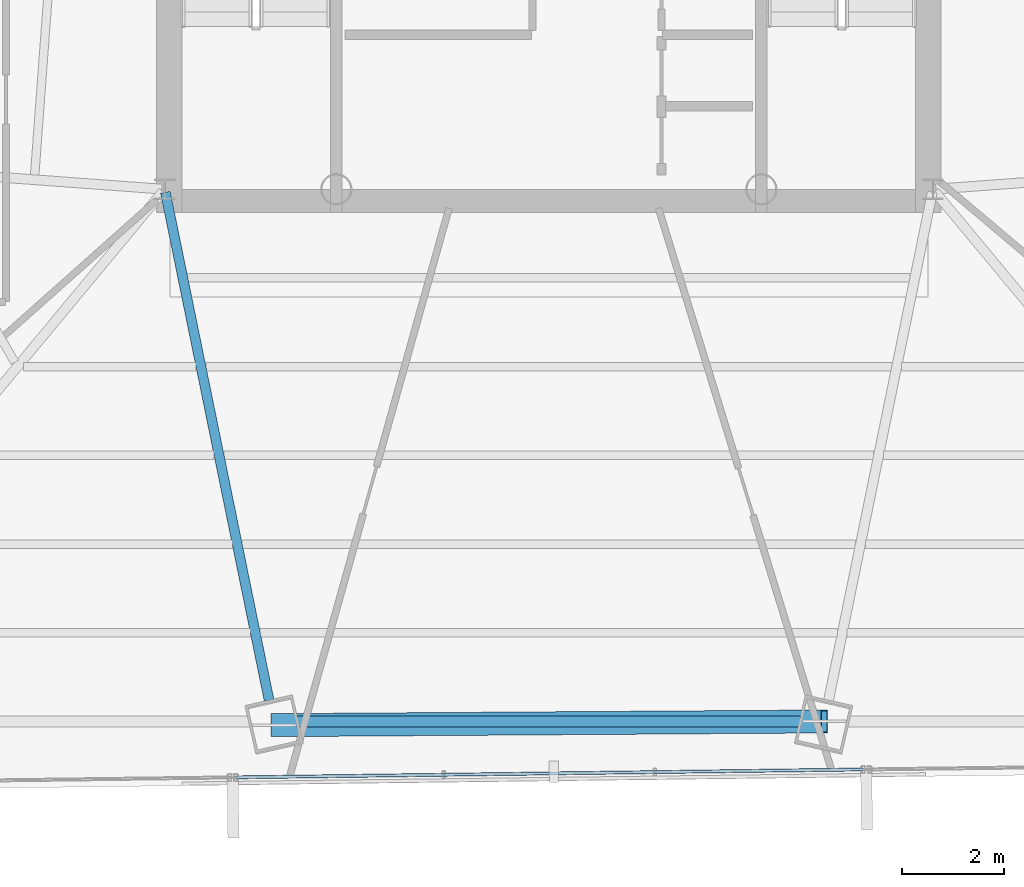
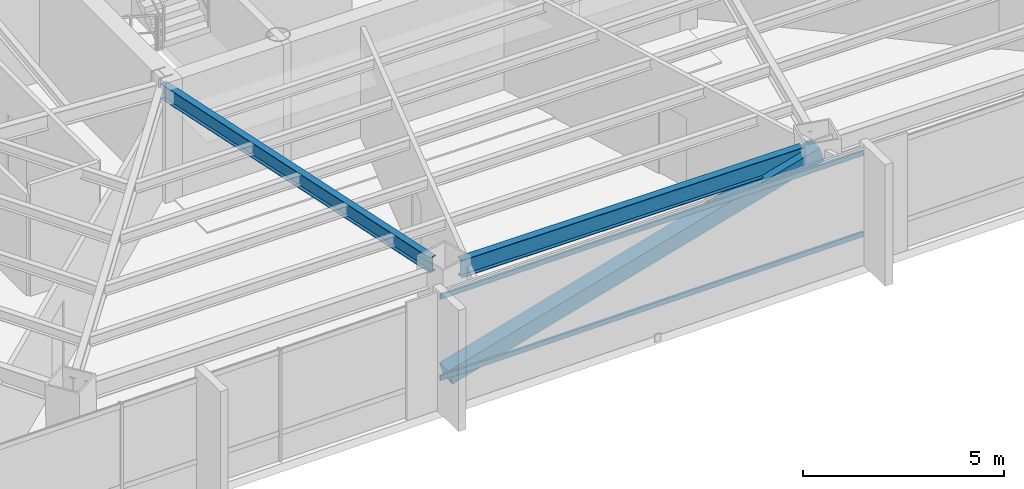
# One storey, part 9 of 41: 3 members, 2 beams, 1 element without a shape of its own.
"""IFC4 building model written with IfcOpenShell, lengths in metres."""

from ifc_helpers import new_model, si_unit, direction, frame, origin, origin_2d, place, context, subcontext, project, spatial, hollow_rectangle, i_section, extrude, source, transform, mapped, material, material_profile, profile_set, type_object, type_shapes, element, aggregate, save


model = new_model("IFC4")

# Units and contexts
model_context = context("Model", 3, precision=1e-05, world=origin(), true_north=direction((0.0, 1.0)))
body_context = subcontext(model_context, "Body", "Model", "MODEL_VIEW")
ifc_project = project(units=[si_unit("LENGTHUNIT", "METRE"), si_unit("AREAUNIT", "SQUARE_METRE"), si_unit("VOLUMEUNIT", "CUBIC_METRE"), si_unit("PLANEANGLEUNIT", "RADIAN"), si_unit("MASSUNIT", "GRAM", prefix="KILO")], contexts=[model_context])

# Site, building, storey
site_placement = place(None, origin())
site = spatial("IfcSite", under=ifc_project, at=site_placement, CompositionType="ELEMENT")
building_placement = place(site_placement, origin())
building = spatial("IfcBuilding", under=site, at=building_placement, Name="Caelisora Broadcast Tower", CompositionType="ELEMENT")
storey_placement = place(building_placement, frame((0.0, 0.0, 135.449951171875)))
storey = spatial("IfcBuildingStorey", under=building, at=storey_placement, Name="L35", CompositionType="ELEMENT", Elevation=135.449951171875)

# Beams
ifc_material_1 = material(Name="Steel Grade 350 (AS/NZS 3679.1)", Category="steel")
ifc_material_profile_1 = material_profile(ifc_material_1, i_section(OverallWidth=0.208984375, OverallDepth=0.532958984375, WebThickness=0.01025390625, FlangeThickness=0.015625, at=origin_2d()), Name="Steel Grade 350 (AS/NZS 3679.1)")
ifc_profile_set_1 = profile_set([ifc_material_profile_1], Name="Steel Grade 350 (AS/NZS 3679.1)")
beam_type_1 = type_object("IfcBeamType", Name="PG05", PredefinedType="BEAM", material=ifc_profile_set_1)
shared_shape_1 = source(origin(), body_context, "Body", "SweptSolid", [
    extrude(i_section(OverallWidth=0.208984375, OverallDepth=0.532958984375, WebThickness=0.01025390625, FlangeThickness=0.015625, at=origin_2d()), origin(), (0.0, 0.0, 1.0), 9.8359375),
])
type_shapes(beam_type_1, [shared_shape_1])
beam_1_placement = place(storey_placement, frame((33.08203125, 7.008544921875, 3.133544921875), z_axis=(1.0, 0.0, 0.0), x_axis=(0.0, 1.0, 0.0)))
element("IfcBeam", 1, at=beam_1_placement, inside=storey, type_object=beam_type_1, Name="L35 beam PG05", PredefinedType="BEAM", context=body_context, shape_type="MappedRepresentation", body=[
    mapped(shared_shape_1, transform((0.0, 0.0, 0.0), scale=1.0)),
])
ifc_material_profile_2 = material_profile(ifc_material_1, i_section(OverallWidth=0.19091796875, OverallDepth=0.46044921875, WebThickness=0.010009765625, FlangeThickness=0.01611328125, at=origin_2d()), Name="Steel Grade 350 (AS/NZS 3679.1)")
ifc_profile_set_2 = profile_set([ifc_material_profile_2], Name="Steel Grade 350 (AS/NZS 3679.1)")
beam_type_2 = type_object("IfcBeamType", Name="PG06", PredefinedType="BEAM", material=ifc_profile_set_2)
shared_shape_2 = source(origin(), body_context, "Body", "SweptSolid", [
    extrude(i_section(OverallWidth=0.19091796875, OverallDepth=0.46044921875, WebThickness=0.010009765625, FlangeThickness=0.01611328125, at=origin_2d()), origin(), (0.0, 0.0, 1.0), 10.126220703125),
])
type_shapes(beam_type_2, [shared_shape_2])
beam_2_placement = place(storey_placement, frame((30.511962890625, 17.34130859375, 3.169921875), z_axis=(0.200088021205, -0.979777925741, 0.0), x_axis=(0.979777925741, 0.200088021205, 0.0)))
element("IfcBeam", 2, at=beam_2_placement, inside=storey, type_object=beam_type_2, Name="L35 beam PG06", PredefinedType="BEAM", context=body_context, shape_type="MappedRepresentation", body=[
    mapped(shared_shape_2, transform((0.0, 0.0, 0.0), scale=1.0)),
])

# Member
ifc_material_2 = material(Name="Steel Grade 450 (AS/NZS 1163 C450L0)", Category="steel")
ifc_material_profile_3 = material_profile(ifc_material_2, hollow_rectangle(XDim=0.449951171875, YDim=0.449951171875, WallThickness=0.01611328125, at=origin_2d()), Name="Steel Grade 450 (AS/NZS 1163 C450L0)")
ifc_profile_set_3 = profile_set([ifc_material_profile_3], Name="Steel Grade 450 (AS/NZS 1163 C450L0)")
member_type_1 = type_object("IfcMemberType", Name="BR03", PredefinedType="BRACE", material=ifc_profile_set_3)
shared_shape_3 = source(origin(), body_context, "Body", "SweptSolid", [
    extrude(hollow_rectangle(XDim=0.449951171875, YDim=0.449951171875, WallThickness=0.01611328125, at=origin_2d()), origin(), (0.0, 0.0, 1.0), 11.15087890625),
])
type_shapes(member_type_1, [shared_shape_3])
member_1_placement = place(storey_placement, frame((32.638427734375, 6.936279296875, 0.10009765625), z_axis=(0.963108020536, 0.006480710498, 0.269037062819), x_axis=(-0.006728802632, 0.999977361351, 0.0)))
element("IfcMember", 3, at=member_1_placement, inside=storey, type_object=member_type_1, Name="L35 perimeter brace BR03", PredefinedType="BRACE", context=body_context, shape_type="MappedRepresentation", body=[
    mapped(shared_shape_3, transform((0.0, 0.0, 0.0), scale=1.0)),
])

# Curtain wall, members
ifc_material_3 = material(Name="Unitised Aluminium Insulated Shadow-Box Spandrel Curtain Wall", Category="aluminium")
curtain_wall_type = type_object("IfcCurtainWallType", Name="CW-SP2", PredefinedType="NOTDEFINED", material=ifc_material_3)
curtain_wall_placement = place(storey_placement, origin())
curtain_wall = element("IfcCurtainWall", 4, at=curtain_wall_placement, inside=storey, type_object=curtain_wall_type, Name="L35 curtain wall CW-SP2", PredefinedType="NOTDEFINED")
ifc_material_4 = material(Name="Aluminium 6063-T6 Anodised Terracotta Bronze", Category="aluminium")
ifc_material_profile_4 = material_profile(ifc_material_4, hollow_rectangle(XDim=0.06005859375, YDim=0.14990234375, WallThickness=0.00341796875, at=origin_2d()), Name="Aluminium 6063-T6 Anodised Terracotta Bronze")
ifc_profile_set_4 = profile_set([ifc_material_profile_4], Name="Aluminium 6063-T6 Anodised Terracotta Bronze")
member_type_2 = type_object("IfcMemberType", Name="CWT-02", PredefinedType="USERDEFINED", material=ifc_profile_set_4)
shared_shape_4 = source(origin(), body_context, "Body", "SweptSolid", [
    extrude(hollow_rectangle(XDim=0.06005859375, YDim=0.14990234375, WallThickness=0.00341796875, at=origin_2d()), origin(), (0.0, 0.0, 1.0), 12.262451171875),
])
type_shapes(member_type_2, [shared_shape_4])
member_2_placement = place(storey_placement, frame((44.142578125, 6.071044921875, 0.85009765625), z_axis=(-0.999920832436, -0.012582879679, 0.0), x_axis=(0.012582879679, -0.999920832436, 0.0)))
member_2 = element("IfcMember", 5, at=member_2_placement, type_object=member_type_2, Name="L35-CW-B06 transom #1", ObjectType="TRANSOM", PredefinedType="USERDEFINED", context=body_context, shape_type="MappedRepresentation", body=[
    mapped(shared_shape_4, transform((0.0, 0.0, 0.0), scale=1.0)),
])
member_3_placement = place(storey_placement, frame((44.142578125, 6.071044921875, 3.320068359375), z_axis=(-0.999920832436, -0.012582879679, 0.0), x_axis=(0.012582879679, -0.999920832436, 0.0)))
member_3 = element("IfcMember", 6, at=member_3_placement, type_object=member_type_2, Name="L35-CW-B06 transom #2", ObjectType="TRANSOM", PredefinedType="USERDEFINED", context=body_context, shape_type="MappedRepresentation", body=[
    mapped(shared_shape_4, transform((0.0, 0.0, 0.0), scale=1.0)),
])
aggregate(curtain_wall, [member_2, member_3])

save(model, "model.ifc")
